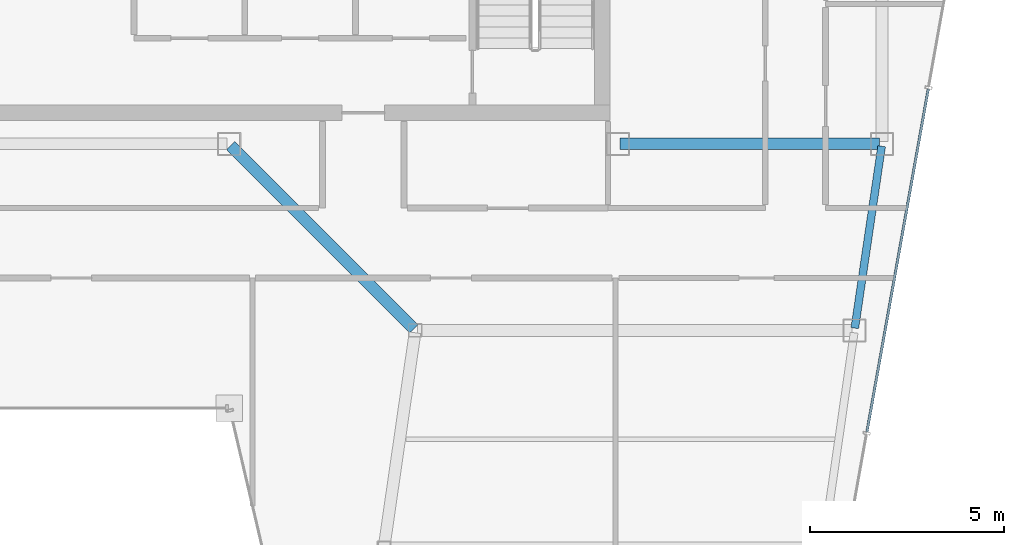
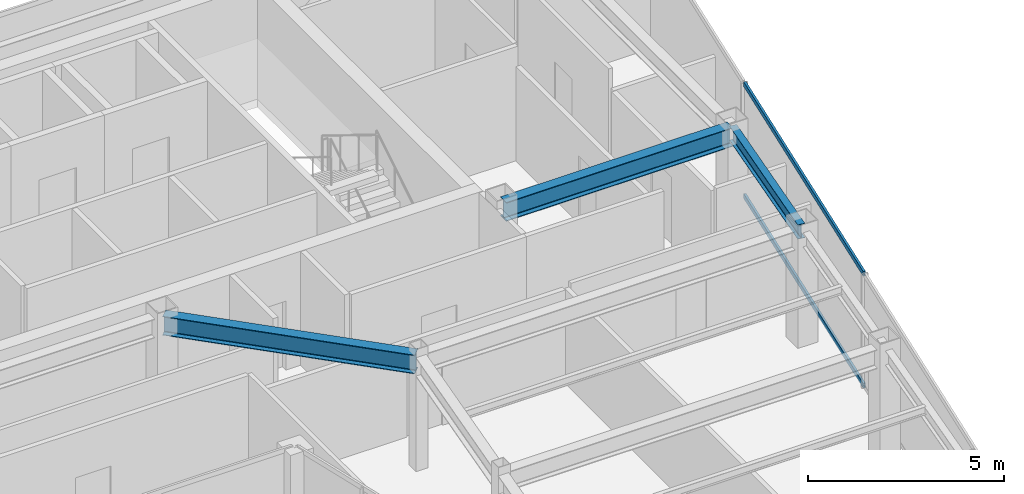
# One storey, part 18 of 32: 3 beams, 2 members, 1 element without a shape of its own.
"""IFC4 building model written with IfcOpenShell, lengths in metres."""

from ifc_helpers import new_model, si_unit, direction, frame, origin, origin_2d, place, context, subcontext, project, spatial, hollow_rectangle, i_section, extrude, material, material_profile, profile_set, type_object, element, aggregate, save


model = new_model("IFC4")

# Units and contexts
model_context = context("Model", 3, precision=1e-05, world=origin(), true_north=direction((0.0, 1.0)))
body_context = subcontext(model_context, "Body", "Model", "MODEL_VIEW")
ifc_project = project(units=[si_unit("LENGTHUNIT", "METRE"), si_unit("AREAUNIT", "SQUARE_METRE"), si_unit("VOLUMEUNIT", "CUBIC_METRE"), si_unit("PLANEANGLEUNIT", "RADIAN"), si_unit("MASSUNIT", "GRAM", prefix="KILO")], contexts=[model_context])

# Site, building, storey
site_placement = place(None, origin())
site = spatial("IfcSite", under=ifc_project, at=site_placement, CompositionType="ELEMENT")
building_placement = place(site_placement, origin())
building = spatial("IfcBuilding", under=site, at=building_placement, Name="Saevonmaru Cultural Tower", CompositionType="ELEMENT")
storey_placement = place(building_placement, frame((0.0, 0.0, 264.800048828125)))
storey = spatial("IfcBuildingStorey", under=building, at=storey_placement, Name="L62", CompositionType="ELEMENT", Elevation=264.800048828125)

# Beams
ifc_material_1 = material(Name="Steel SM355", Category="steel")
ifc_material_profile_1 = material_profile(ifc_material_1, i_section(OverallWidth=0.300048828125, OverallDepth=0.587890625, WebThickness=0.011962890625, FlangeThickness=0.02001953125, FilletRadius=0.02392578125, at=origin_2d()), Name="H-588x300x12x20")
ifc_profile_set_1 = profile_set([ifc_material_profile_1], Name="Steel SM355")
beam_type_1 = type_object("IfcBeamType", Name="BM-G-H588", PredefinedType="BEAM", material=ifc_profile_set_1)
beam_1_placement = place(storey_placement, frame((46.4599609375, 42.39990234375, 3.255859375), z_axis=(1.0, 0.0, 0.0), x_axis=(0.0, 1.0, 0.0)))
element("IfcBeam", 1, at=beam_1_placement, inside=storey, type_object=beam_type_1, Name="L62 Core South Girder 5", PredefinedType="BEAM", context=body_context, shape_type="SweptSolid", body=[
    extrude(i_section(OverallWidth=0.300048828125, OverallDepth=0.587890625, WebThickness=0.011962890625, FlangeThickness=0.02001953125, FilletRadius=0.02392578125, at=origin_2d()), origin(), (0.0, 0.0, 1.0), 6.679931640625),
])
beam_2_placement = place(storey_placement, frame((41.149658203125, 37.642578125, 3.255859375), z_axis=(-0.706538566564, 0.707674539572, 0.0), x_axis=(-0.707674539572, -0.706538566564, 0.0)))
element("IfcBeam", 2, at=beam_2_placement, inside=storey, type_object=beam_type_1, Name="L62 East Atrium Girder 3", PredefinedType="BEAM", context=body_context, shape_type="SweptSolid", body=[
    extrude(i_section(OverallWidth=0.300048828125, OverallDepth=0.587890625, WebThickness=0.011962890625, FlangeThickness=0.02001953125, FilletRadius=0.02392578125, at=origin_2d()), origin(), (0.0, 0.0, 1.0), 6.662353515625),
])
ifc_material_profile_2 = material_profile(ifc_material_1, i_section(OverallWidth=0.199951171875, OverallDepth=0.449951171875, WebThickness=0.009033203125, FlangeThickness=0.013916015625, FilletRadius=0.01806640625, at=origin_2d()), Name="H-450x200x9x14")
ifc_profile_set_2 = profile_set([ifc_material_profile_2], Name="Steel SM355")
beam_type_2 = type_object("IfcBeamType", Name="BM-SP-H450", PredefinedType="SPANDREL", material=ifc_profile_set_2)
beam_3_placement = place(storey_placement, frame((52.500732421875, 37.659423828125, 3.324951171875), z_axis=(0.145912860028, 0.989297446312, 0.0), x_axis=(-0.989297446312, 0.145912860028, 0.0)))
element("IfcBeam", 3, at=beam_3_placement, inside=storey, type_object=beam_type_2, Name="L62 East Splayed Spandrel 3", PredefinedType="SPANDREL", context=body_context, shape_type="SweptSolid", body=[
    extrude(i_section(OverallWidth=0.199951171875, OverallDepth=0.449951171875, WebThickness=0.009033203125, FlangeThickness=0.013916015625, FilletRadius=0.01806640625, at=origin_2d()), origin(), (0.0, 0.0, 1.0), 4.731689453125),
])

# Curtain wall, members
ifc_material_2 = material(Name="Satin Bronze Anodised Aluminium", Category="aluminium")
curtain_wall_type = type_object("IfcCurtainWallType", Name="CW-TYP-B", PredefinedType="NOTDEFINED", material=ifc_material_2)
curtain_wall_placement = place(storey_placement, origin())
curtain_wall = element("IfcCurtainWall", 4, at=curtain_wall_placement, inside=storey, type_object=curtain_wall_type, Name="L62 Unitised Curtain Wall E8", PredefinedType="NOTDEFINED")
ifc_material_profile_3 = material_profile(ifc_material_2, hollow_rectangle(XDim=0.06494140625, YDim=0.14990234375, WallThickness=0.00390625, at=origin_2d()), Name="ALU-TRAN-150x65x4")
ifc_profile_set_3 = profile_set([ifc_material_profile_3], Name="Satin Bronze Anodised Aluminium")
member_type = type_object("IfcMemberType", Name="TR-CW-150x65", PredefinedType="USERDEFINED", material=ifc_profile_set_3)
member_1_placement = place(storey_placement, frame((52.812255859375, 34.985107421875, 0.032470703125), z_axis=(0.176123157264, 0.984368139202, 0.0), x_axis=(-0.984368139202, 0.176123157264, 0.0)))
member_1 = element("IfcMember", 5, at=member_1_placement, type_object=member_type, Name="CW-TW-L62-E8 transom 2.1", ObjectType="TRANSOM", PredefinedType="USERDEFINED", context=body_context, shape_type="SweptSolid", body=[
    extrude(hollow_rectangle(XDim=0.06494140625, YDim=0.14990234375, WallThickness=0.00390625, at=origin_2d()), origin(), (0.0, 0.0, 1.0), 8.969970703125),
])
member_2_placement = place(storey_placement, frame((52.812255859375, 34.985107421875, 3.517333984375), z_axis=(0.176123157264, 0.984368139202, 0.0), x_axis=(-0.984368139202, 0.176123157264, 0.0)))
member_2 = element("IfcMember", 6, at=member_2_placement, type_object=member_type, Name="CW-TW-L62-E8 transom 2.2", ObjectType="TRANSOM", PredefinedType="USERDEFINED", context=body_context, shape_type="SweptSolid", body=[
    extrude(hollow_rectangle(XDim=0.06494140625, YDim=0.14990234375, WallThickness=0.00390625, at=origin_2d()), origin(), (0.0, 0.0, 1.0), 8.969970703125),
])
aggregate(curtain_wall, [member_1, member_2])

save(model, "model.ifc")
